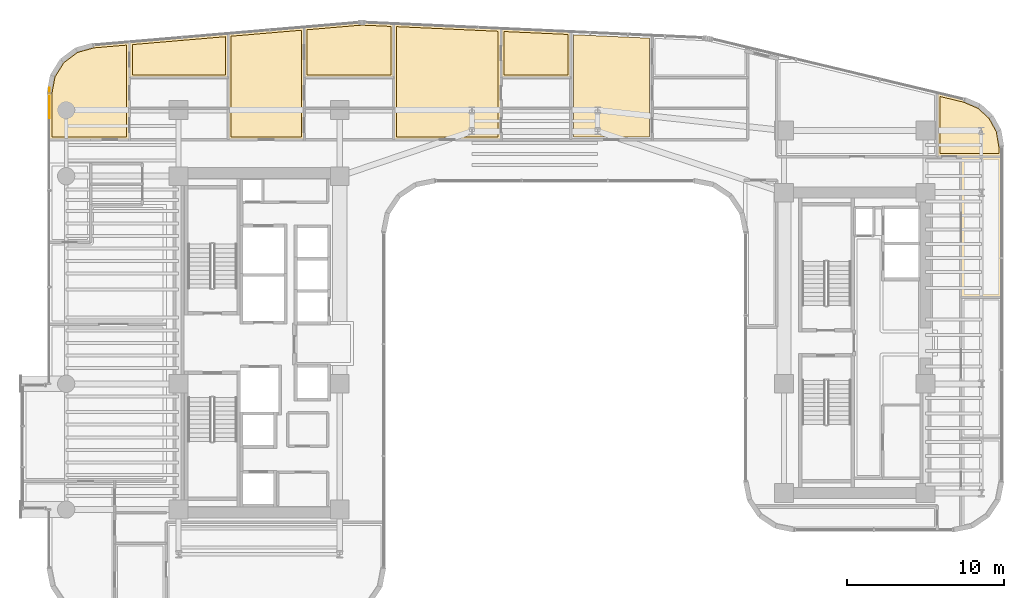
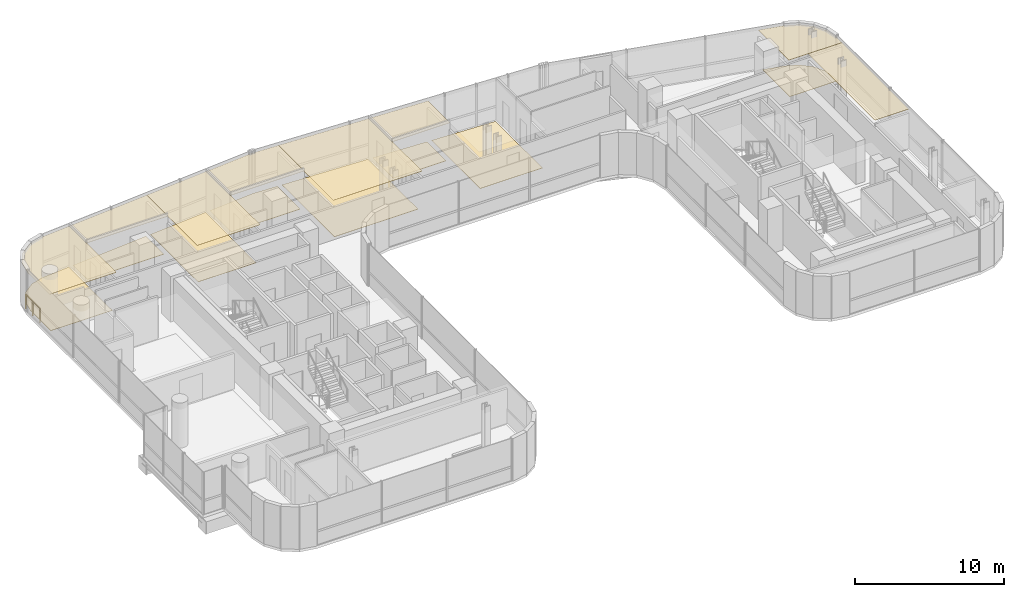
# One storey, part 36 of 37: 16 coverings, 1 railing.
"""IFC4 building model written with IfcOpenShell, lengths in metres."""

from ifc_helpers import new_model, si_unit, direction, frame, origin, origin_2d, place, context, subcontext, project, spatial, polyline, circle, outline, extrude, material, layer, layer_set, type_object, element, save


model = new_model("IFC4")

# Units and contexts
model_context = context("Model", 3, precision=1e-05, world=origin(), true_north=direction((0.0, 1.0)))
body_context = subcontext(model_context, "Body", "Model", "MODEL_VIEW")
ifc_project = project(units=[si_unit("LENGTHUNIT", "METRE"), si_unit("AREAUNIT", "SQUARE_METRE"), si_unit("VOLUMEUNIT", "CUBIC_METRE"), si_unit("PLANEANGLEUNIT", "RADIAN"), si_unit("MASSUNIT", "GRAM", prefix="KILO")], contexts=[model_context])

# Site, building, storey
site_placement = place(None, origin())
site = spatial("IfcSite", under=ifc_project, at=site_placement, CompositionType="ELEMENT")
building_placement = place(site_placement, origin())
building = spatial("IfcBuilding", under=site, at=building_placement, Name="Valdorenza Pilgrim Sanctuary Tower", CompositionType="ELEMENT")
storey_placement = place(building_placement, frame((0.0, 0.0, 127.89990234375)))
storey = spatial("IfcBuildingStorey", under=building, at=storey_placement, Name="L32", CompositionType="ELEMENT", Elevation=127.89990234375)

# Coverings
ifc_material_1 = material(Name="Micro-perforated acoustic mineral ceiling tile", Category="gypsum")
ifc_layer_1 = layer(ifc_material_1, 0.02490234375, Name="Micro-perforated acoustic mineral ceiling tile")
ifc_layer_set_1 = layer_set([ifc_layer_1], Name="Micro-perforated acoustic mineral ceiling tile")
covering_type_1 = type_object("IfcCoveringType", Name="COV-CLG-ACU", PredefinedType="CEILING", material=ifc_layer_set_1)
covering_1_placement = place(storey_placement, frame((0.0, 0.0, 3.16015625)))
element("IfcCovering", 1, at=covering_1_placement, inside=storey, type_object=covering_type_1, Name="L32 North Sanctuary Apartment L32-N1 Bedroom Acoustic Ceiling", PredefinedType="CEILING", context=body_context, shape_type="SweptSolid", body=[
    extrude(outline(polyline([(-19.485107421875, 16.8701171875), (-19.485107421875, 16.868408203125), (-19.4853515625, 16.8671875), (-19.485595703125, 16.865478515625), (-19.486083984375, 16.8642578125), (-19.48681640625, 16.86279296875), (-19.487548828125, 16.86181640625), (-19.48828125, 16.860595703125), (-19.489501953125, 16.859375), (-19.490478515625, 16.8583984375), (-19.49169921875, 16.857421875), (-19.492919921875, 16.856689453125), (-19.494384765625, 16.856201171875), (-19.49560546875, 16.855712890625), (-19.4970703125, 16.855224609375), (-19.49853515625, 16.85498046875), (-19.5, 16.85498046875), (-25.77490234375, 16.85498046875), (-25.776611328125, 16.85498046875), (-25.77783203125, 16.855224609375), (-25.779296875, 16.855712890625), (-25.78076171875, 16.856201171875), (-25.781982421875, 16.856689453125), (-25.783203125, 16.857421875), (-25.784423828125, 16.8583984375), (-25.78564453125, 16.859375), (-25.78662109375, 16.860595703125), (-25.78759765625, 16.86181640625), (-25.7880859375, 16.86279296875), (-25.788818359375, 16.8642578125), (-25.789306640625, 16.865478515625), (-25.789794921875, 16.8671875), (-25.789794921875, 16.868408203125), (-25.7900390625, 16.8701171875), (-25.7900390625, 19.1337890625), (-25.789794921875, 19.13525390625), (-25.789794921875, 19.13671875), (-25.789306640625, 19.13818359375), (-25.788818359375, 19.139404296875), (-25.7880859375, 19.140869140625), (-25.787353515625, 19.14208984375), (-25.78662109375, 19.143310546875), (-25.785400390625, 19.144287109375), (-25.784423828125, 19.1455078125), (-25.783203125, 19.146240234375), (-25.781982421875, 19.147216796875), (-25.780517578125, 19.147705078125), (-25.779296875, 19.148193359375), (-25.777587890625, 19.1484375), (-25.7763671875, 19.148681640625), (-19.501220703125, 19.681884765625), (-19.5, 19.68212890625), (-19.5, 19.68212890625), (-19.49853515625, 19.681884765625), (-19.4970703125, 19.681884765625), (-19.49560546875, 19.681396484375), (-19.494384765625, 19.680908203125), (-19.492919921875, 19.680419921875), (-19.49169921875, 19.6796875), (-19.490478515625, 19.6787109375), (-19.489501953125, 19.677734375), (-19.48828125, 19.676513671875), (-19.487548828125, 19.67529296875), (-19.48681640625, 19.67431640625), (-19.486083984375, 19.6728515625), (-19.485595703125, 19.67138671875), (-19.4853515625, 19.669921875), (-19.485107421875, 19.668701171875), (-19.485107421875, 19.6669921875), (-19.485107421875, 16.8701171875)])), origin(), (0.0, 0.0, 1.0), 0.02490234375),
])
covering_2_placement = place(storey_placement, frame((0.0, 0.0, 3.16015625)))
element("IfcCovering", 2, at=covering_2_placement, inside=storey, type_object=covering_type_1, Name="L32 North Sanctuary Apartment L32-N1 Living Room Acoustic Ceiling", PredefinedType="CEILING", context=body_context, shape_type="SweptSolid", body=[
    extrude(outline(polyline([(-30.889892578125, 12.905029296875), (-30.8916015625, 12.905029296875), (-30.892822265625, 12.9052734375), (-30.894287109375, 12.905517578125), (-30.895751953125, 12.906005859375), (-30.897216796875, 12.90673828125), (-30.898193359375, 12.907470703125), (-30.8994140625, 12.908447265625), (-30.900634765625, 12.909423828125), (-30.901611328125, 12.910400390625), (-30.902587890625, 12.91162109375), (-30.9033203125, 12.912841796875), (-30.90380859375, 12.914306640625), (-30.904296875, 12.91552734375), (-30.90478515625, 12.9169921875), (-30.90478515625, 12.91845703125), (-30.905029296875, 12.919921875), (-30.905029296875, 15.850341796875), (-30.90478515625, 15.8515625), (-30.90478515625, 15.85302734375), (-30.692138671875, 16.984130859375), (-30.69189453125, 16.985595703125), (-30.69140625, 16.98681640625), (-30.69091796875, 16.98828125), (-30.690185546875, 16.989501953125), (-30.0869140625, 17.95751953125), (-30.086181640625, 17.958740234375), (-30.085205078125, 17.959716796875), (-30.084228515625, 17.960693359375), (-30.083251953125, 17.961669921875), (-29.169677734375, 18.64453125), (-29.16845703125, 18.6455078125), (-29.167236328125, 18.64599609375), (-29.166015625, 18.646484375), (-29.164794921875, 18.647216796875), (-28.055419921875, 18.95458984375), (-28.05419921875, 18.955078125), (-28.052734375, 18.955078125), (-25.7783203125, 19.1484375), (-25.77685546875, 19.148681640625), (-25.775390625, 19.1484375), (-25.77392578125, 19.148193359375), (-25.7724609375, 19.14794921875), (-25.77099609375, 19.1474609375), (-25.769775390625, 19.146728515625), (-25.7685546875, 19.14599609375), (-25.767333984375, 19.14501953125), (-25.766357421875, 19.14404296875), (-25.765380859375, 19.14306640625), (-25.764404296875, 19.141845703125), (-25.763671875, 19.140625), (-25.76318359375, 19.139404296875), (-25.7626953125, 19.137939453125), (-25.76220703125, 19.136474609375), (-25.76220703125, 19.135009765625), (-25.761962890625, 19.133544921875), (-25.761962890625, 16.87548828125), (-25.76171875, 16.875), (-25.760986328125, 16.87353515625), (-25.760498046875, 16.872314453125), (-25.76025390625, 16.870849609375), (-25.760009765625, 16.869384765625), (-25.760009765625, 16.867919921875), (-25.760009765625, 12.919921875), (-25.760009765625, 12.91845703125), (-25.76025390625, 12.9169921875), (-25.760498046875, 12.91552734375), (-25.760986328125, 12.914306640625), (-25.76171875, 12.912841796875), (-25.762451171875, 12.91162109375), (-25.763427734375, 12.910400390625), (-25.764404296875, 12.909423828125), (-25.765380859375, 12.908447265625), (-25.7666015625, 12.907470703125), (-25.767822265625, 12.90673828125), (-25.769287109375, 12.906005859375), (-25.7705078125, 12.905517578125), (-25.772216796875, 12.9052734375), (-25.7734375, 12.905029296875), (-25.77490234375, 12.905029296875), (-30.889892578125, 12.905029296875)])), origin(), (0.0, 0.0, 1.0), 0.02490234375),
])
covering_3_placement = place(storey_placement, frame((0.0, 0.0, 3.16015625)))
element("IfcCovering", 3, at=covering_3_placement, inside=storey, type_object=covering_type_1, Name="L32 North Sanctuary Apartment L32-N2 Bedroom Acoustic Ceiling", PredefinedType="CEILING", context=body_context, shape_type="SweptSolid", body=[
    extrude(outline(polyline([(-14.658447265625, 16.85498046875), (-14.659912109375, 16.85498046875), (-14.661376953125, 16.855224609375), (-14.662841796875, 16.855712890625), (-14.664306640625, 16.856201171875), (-14.66552734375, 16.856689453125), (-14.666748046875, 16.857421875), (-14.66796875, 16.8583984375), (-14.669189453125, 16.859375), (-14.670166015625, 16.860595703125), (-14.6708984375, 16.86181640625), (-14.671630859375, 16.86279296875), (-14.67236328125, 16.8642578125), (-14.6728515625, 16.865478515625), (-14.673095703125, 16.8671875), (-14.67333984375, 16.868408203125), (-14.673583984375, 16.8701171875), (-14.673583984375, 20.07861328125), (-14.67333984375, 20.080078125), (-14.673095703125, 20.08154296875), (-14.6728515625, 20.0830078125), (-14.67236328125, 20.08447265625), (-14.671630859375, 20.085693359375), (-14.6708984375, 20.0869140625), (-14.669921875, 20.088134765625), (-14.6689453125, 20.08935546875), (-14.66796875, 20.09033203125), (-14.666748046875, 20.09130859375), (-14.665283203125, 20.091796875), (-14.6640625, 20.092529296875), (-14.66259765625, 20.093017578125), (-14.6611328125, 20.093505859375), (-14.659912109375, 20.093505859375), (-11.20068359375, 20.3876953125), (-11.200439453125, 20.3876953125), (-11.099365234375, 20.39453125), (-11.098876953125, 20.39453125), (-10.998291015625, 20.398193359375), (-10.997802734375, 20.398193359375), (-10.897216796875, 20.398681640625), (-10.896728515625, 20.398681640625), (-10.79541015625, 20.3955078125), (-10.795166015625, 20.3955078125), (-8.974365234375, 20.312744140625), (-8.972900390625, 20.312744140625), (-8.971435546875, 20.3125), (-8.97021484375, 20.31201171875), (-8.96875, 20.3115234375), (-8.967529296875, 20.310791015625), (-8.96630859375, 20.31005859375), (-8.965087890625, 20.30908203125), (-8.964111328125, 20.30810546875), (-8.963134765625, 20.30712890625), (-8.96240234375, 20.305908203125), (-8.961669921875, 20.3046875), (-8.961181640625, 20.303466796875), (-8.960693359375, 20.302001953125), (-8.960205078125, 20.30078125), (-8.960205078125, 20.29931640625), (-8.9599609375, 20.2978515625), (-8.9599609375, 16.8701171875), (-8.960205078125, 16.868408203125), (-8.960205078125, 16.8671875), (-8.960693359375, 16.865478515625), (-8.961181640625, 16.8642578125), (-8.9619140625, 16.86279296875), (-8.96240234375, 16.86181640625), (-8.96337890625, 16.860595703125), (-8.96435546875, 16.859375), (-8.965576171875, 16.8583984375), (-8.966796875, 16.857421875), (-8.968017578125, 16.856689453125), (-8.96923828125, 16.856201171875), (-8.970703125, 16.855712890625), (-8.97216796875, 16.855224609375), (-8.973388671875, 16.85498046875), (-8.97509765625, 16.85498046875), (-14.658447265625, 16.85498046875)])), origin(), (0.0, 0.0, 1.0), 0.02490234375),
])
covering_4_placement = place(storey_placement, frame((0.0, 0.0, 3.16015625)))
element("IfcCovering", 4, at=covering_4_placement, inside=storey, type_object=covering_type_1, Name="L32 North Sanctuary Apartment L32-N2 Living Room Acoustic Ceiling", PredefinedType="CEILING", context=body_context, shape_type="SweptSolid", body=[
    extrude(outline(polyline([(-19.512939453125, 14.918212890625), (-19.51318359375, 14.9189453125), (-19.51318359375, 14.92041015625), (-19.51318359375, 14.922119140625), (-19.51318359375, 14.923583984375), (-19.512939453125, 14.923828125), (-19.512939453125, 16.8662109375), (-19.51318359375, 16.866943359375), (-19.51318359375, 16.868408203125), (-19.51318359375, 16.8701171875), (-19.51318359375, 16.87158203125), (-19.512939453125, 16.871826171875), (-19.512939453125, 19.6669921875), (-19.512939453125, 19.6669921875), (-19.512939453125, 19.66796875), (-19.512939453125, 19.66943359375), (-19.5126953125, 19.6708984375), (-19.51220703125, 19.672119140625), (-19.51171875, 19.673583984375), (-19.510986328125, 19.6748046875), (-19.51025390625, 19.676025390625), (-19.50927734375, 19.677001953125), (-19.50830078125, 19.67822265625), (-19.507080078125, 19.67919921875), (-19.506103515625, 19.679931640625), (-19.5048828125, 19.6806640625), (-19.50341796875, 19.68115234375), (-19.502197265625, 19.681640625), (-19.500732421875, 19.681884765625), (-19.499267578125, 19.68212890625), (-14.661865234375, 20.093505859375), (-14.660400390625, 20.093505859375), (-14.658935546875, 20.093505859375), (-14.657470703125, 20.093017578125), (-14.656005859375, 20.0927734375), (-14.654541015625, 20.09228515625), (-14.6533203125, 20.091552734375), (-14.652099609375, 20.0908203125), (-14.65087890625, 20.090087890625), (-14.64990234375, 20.089111328125), (-14.64892578125, 20.087890625), (-14.64794921875, 20.086669921875), (-14.647216796875, 20.08544921875), (-14.646484375, 20.083984375), (-14.64599609375, 20.082763671875), (-14.645751953125, 20.081298828125), (-14.6455078125, 20.079833984375), (-14.6455078125, 20.078369140625), (-14.6455078125, 16.87548828125), (-14.645263671875, 16.875), (-14.64453125, 16.87353515625), (-14.64404296875, 16.872314453125), (-14.643798828125, 16.870849609375), (-14.6435546875, 16.869384765625), (-14.6435546875, 16.867919921875), (-14.6435546875, 12.919921875), (-14.6435546875, 12.91845703125), (-14.643798828125, 12.9169921875), (-14.64404296875, 12.91552734375), (-14.64453125, 12.914306640625), (-14.645263671875, 12.912841796875), (-14.64599609375, 12.91162109375), (-14.64697265625, 12.910400390625), (-14.64794921875, 12.909423828125), (-14.64892578125, 12.908447265625), (-14.650146484375, 12.907470703125), (-14.6513671875, 12.90673828125), (-14.65283203125, 12.906005859375), (-14.654052734375, 12.905517578125), (-14.655517578125, 12.9052734375), (-14.656982421875, 12.905029296875), (-14.658447265625, 12.905029296875), (-19.498046875, 12.905029296875), (-19.49951171875, 12.905029296875), (-19.5009765625, 12.9052734375), (-19.50244140625, 12.905517578125), (-19.503662109375, 12.906005859375), (-19.505126953125, 12.90673828125), (-19.50634765625, 12.907470703125), (-19.507568359375, 12.908447265625), (-19.508544921875, 12.909423828125), (-19.509521484375, 12.910400390625), (-19.510498046875, 12.91162109375), (-19.51123046875, 12.912841796875), (-19.511962890625, 12.914306640625), (-19.512451171875, 12.91552734375), (-19.5126953125, 12.9169921875), (-19.512939453125, 12.91845703125), (-19.512939453125, 12.919921875), (-19.512939453125, 14.918212890625)])), origin(), (0.0, 0.0, 1.0), 0.02490234375),
])
covering_5_placement = place(storey_placement, frame((0.0, 0.0, 3.16015625)))
element("IfcCovering", 5, at=covering_5_placement, inside=storey, type_object=covering_type_1, Name="L32 North Sanctuary Apartment L32-N3 Bedroom Acoustic Ceiling", PredefinedType="CEILING", context=body_context, shape_type="SweptSolid", body=[
    extrude(outline(polyline([(-2.14453125, 16.85498046875), (-2.14599609375, 16.85498046875), (-2.1474609375, 16.855224609375), (-2.14892578125, 16.855712890625), (-2.150146484375, 16.856201171875), (-2.151611328125, 16.856689453125), (-2.15283203125, 16.857421875), (-2.154052734375, 16.8583984375), (-2.155029296875, 16.859375), (-2.156005859375, 16.860595703125), (-2.156982421875, 16.86181640625), (-2.15771484375, 16.86279296875), (-2.158447265625, 16.8642578125), (-2.158935546875, 16.865478515625), (-2.1591796875, 16.8671875), (-2.159423828125, 16.868408203125), (-2.159423828125, 16.8701171875), (-2.159423828125, 19.9873046875), (-2.159423828125, 19.989013671875), (-2.1591796875, 19.990478515625), (-2.15869140625, 19.99169921875), (-2.158203125, 19.9931640625), (-2.15771484375, 19.99462890625), (-2.15673828125, 19.995849609375), (-2.156005859375, 19.9970703125), (-2.15478515625, 19.998291015625), (-2.15380859375, 19.999267578125), (-2.152587890625, 20.0), (-2.151123046875, 20.000732421875), (-2.14990234375, 20.00146484375), (-2.148193359375, 20.001708984375), (-2.146728515625, 20.002197265625), (-2.145263671875, 20.002197265625), (-2.143798828125, 20.002197265625), (2.28759765625, 19.80078125), (2.2890625, 19.80078125), (2.29052734375, 19.800537109375), (2.2919921875, 19.800048828125), (2.293212890625, 19.799560546875), (2.29443359375, 19.798828125), (2.295654296875, 19.798095703125), (2.296875, 19.79736328125), (2.2978515625, 19.79638671875), (2.298828125, 19.795166015625), (2.299560546875, 19.7939453125), (2.30029296875, 19.792724609375), (2.30078125, 19.79150390625), (2.301513671875, 19.7900390625), (2.3017578125, 19.788818359375), (2.302001953125, 19.787353515625), (2.302001953125, 19.785888671875), (2.302001953125, 16.8701171875), (2.302001953125, 16.868408203125), (2.3017578125, 16.8671875), (2.301513671875, 16.865478515625), (2.30078125, 16.8642578125), (2.30029296875, 16.86279296875), (2.299560546875, 16.86181640625), (2.298583984375, 16.860595703125), (2.297607421875, 16.859375), (2.29638671875, 16.8583984375), (2.29541015625, 16.857421875), (2.294189453125, 16.856689453125), (2.292724609375, 16.856201171875), (2.29150390625, 16.855712890625), (2.289794921875, 16.855224609375), (2.28857421875, 16.85498046875), (2.287109375, 16.85498046875), (-2.14453125, 16.85498046875)])), origin(), (0.0, 0.0, 1.0), 0.02490234375),
])
covering_6_placement = place(storey_placement, frame((0.0, 0.0, 3.16015625)))
element("IfcCovering", 6, at=covering_6_placement, inside=storey, type_object=covering_type_1, Name="L32 North Sanctuary Apartment L32-N3 Living Room Acoustic Ceiling", PredefinedType="CEILING", context=body_context, shape_type="SweptSolid", body=[
    extrude(outline(polyline([(-8.988037109375, 14.918212890625), (-8.988037109375, 14.9189453125), (-8.98828125, 14.92041015625), (-8.98828125, 14.922119140625), (-8.988037109375, 14.923583984375), (-8.988037109375, 14.923828125), (-8.988037109375, 16.8662109375), (-8.988037109375, 16.866943359375), (-8.98828125, 16.868408203125), (-8.98828125, 16.8701171875), (-8.988037109375, 16.87158203125), (-8.988037109375, 16.871826171875), (-8.988037109375, 20.297607421875), (-8.98779296875, 20.29931640625), (-8.98779296875, 20.30078125), (-8.9873046875, 20.30224609375), (-8.98681640625, 20.3037109375), (-8.986083984375, 20.304931640625), (-8.9853515625, 20.306396484375), (-8.984375, 20.3076171875), (-8.9833984375, 20.30859375), (-8.982177734375, 20.3095703125), (-8.98095703125, 20.310302734375), (-8.979736328125, 20.311279296875), (-8.978271484375, 20.311767578125), (-8.976806640625, 20.312255859375), (-8.975341796875, 20.3125), (-8.973876953125, 20.312744140625), (-8.972412109375, 20.312744140625), (-2.145751953125, 20.00244140625), (-2.144287109375, 20.002197265625), (-2.14306640625, 20.001953125), (-2.1416015625, 20.001708984375), (-2.140380859375, 20.001220703125), (-2.138916015625, 20.00048828125), (-2.1376953125, 19.999755859375), (-2.13671875, 19.998779296875), (-2.1357421875, 19.997802734375), (-2.134765625, 19.99658203125), (-2.1337890625, 19.99560546875), (-2.13330078125, 19.994384765625), (-2.132568359375, 19.992919921875), (-2.132080078125, 19.99169921875), (-2.1318359375, 19.990234375), (-2.131591796875, 19.989013671875), (-2.131591796875, 19.9873046875), (-2.131591796875, 16.87548828125), (-2.131103515625, 16.875), (-2.130615234375, 16.87353515625), (-2.130126953125, 16.872314453125), (-2.1298828125, 16.870849609375), (-2.129638671875, 16.869384765625), (-2.12939453125, 16.867919921875), (-2.12939453125, 12.919921875), (-2.129638671875, 12.91845703125), (-2.1298828125, 12.9169921875), (-2.130126953125, 12.91552734375), (-2.130615234375, 12.914306640625), (-2.13134765625, 12.912841796875), (-2.132080078125, 12.91162109375), (-2.1328125, 12.910400390625), (-2.1337890625, 12.909423828125), (-2.135009765625, 12.908447265625), (-2.13623046875, 12.907470703125), (-2.137451171875, 12.90673828125), (-2.138916015625, 12.906005859375), (-2.14013671875, 12.905517578125), (-2.1416015625, 12.9052734375), (-2.14306640625, 12.905029296875), (-2.14453125, 12.905029296875), (-8.972900390625, 12.905029296875), (-8.974609375, 12.905029296875), (-8.975830078125, 12.9052734375), (-8.977294921875, 12.905517578125), (-8.978759765625, 12.906005859375), (-8.97998046875, 12.90673828125), (-8.981201171875, 12.907470703125), (-8.982421875, 12.908447265625), (-8.983642578125, 12.909423828125), (-8.984619140625, 12.910400390625), (-8.985595703125, 12.91162109375), (-8.986083984375, 12.912841796875), (-8.98681640625, 12.914306640625), (-8.9873046875, 12.91552734375), (-8.98779296875, 12.9169921875), (-8.98779296875, 12.91845703125), (-8.988037109375, 12.919921875), (-8.988037109375, 14.918212890625)])), origin(), (0.0, 0.0, 1.0), 0.02490234375),
])
covering_7_placement = place(storey_placement, frame((0.0, 0.0, 3.16015625)))
element("IfcCovering", 7, at=covering_7_placement, inside=storey, type_object=covering_type_1, Name="L32 East Wing Reference Library L32-BNE Acoustic Ceiling", PredefinedType="CEILING", context=body_context, shape_type="SweptSolid", body=[
    extrude(outline(polyline([(27.313720703125, 15.49755859375), (27.31494140625, 15.4970703125), (27.316162109375, 15.49658203125), (28.269775390625, 15.09130859375), (28.271240234375, 15.090576171875), (28.272705078125, 15.089599609375), (28.27392578125, 15.088623046875), (29.034912109375, 14.3994140625), (29.035888671875, 14.398193359375), (29.037109375, 14.39697265625), (29.037841796875, 14.3955078125), (29.531005859375, 13.4951171875), (29.53173828125, 13.49365234375), (29.5322265625, 13.4921875), (29.53271484375, 13.490478515625), (29.704833984375, 12.468994140625), (29.704833984375, 12.467529296875), (29.705078125, 12.46630859375), (29.705078125, 11.85009765625), (29.704833984375, 11.848388671875), (29.70458984375, 11.84716796875), (29.704345703125, 11.845703125), (29.703857421875, 11.84423828125), (29.703125, 11.843017578125), (29.702392578125, 11.841796875), (29.70166015625, 11.840576171875), (29.70068359375, 11.83935546875), (29.699462890625, 11.83837890625), (29.6982421875, 11.83740234375), (29.697021484375, 11.8369140625), (29.69580078125, 11.836181640625), (29.6943359375, 11.835693359375), (29.69287109375, 11.835205078125), (29.69140625, 11.835205078125), (29.68994140625, 11.8349609375), (25.60205078125, 11.8349609375), (25.6005859375, 11.835205078125), (25.59912109375, 11.835205078125), (25.59765625, 11.835693359375), (25.59619140625, 11.836181640625), (25.594970703125, 11.8369140625), (25.59375, 11.83740234375), (25.592529296875, 11.83837890625), (25.59130859375, 11.83935546875), (25.59033203125, 11.840576171875), (25.589599609375, 11.841796875), (25.5888671875, 11.843017578125), (25.588134765625, 11.84423828125), (25.587646484375, 11.845703125), (25.58740234375, 11.84716796875), (25.587158203125, 11.848388671875), (25.5869140625, 11.85009765625), (25.5869140625, 15.891845703125), (25.587158203125, 15.893310546875), (25.58740234375, 15.894775390625), (25.587646484375, 15.896240234375), (25.588134765625, 15.897705078125), (25.5888671875, 15.89892578125), (25.589599609375, 15.900390625), (25.590576171875, 15.901611328125), (25.591552734375, 15.902587890625), (25.5927734375, 15.903564453125), (25.593994140625, 15.904296875), (25.59521484375, 15.9052734375), (25.5966796875, 15.90576171875), (25.597900390625, 15.90625), (25.599609375, 15.906494140625), (25.60107421875, 15.90673828125), (25.6025390625, 15.90673828125), (25.60400390625, 15.906494140625), (25.60546875, 15.906494140625), (27.313720703125, 15.49755859375)])), origin(), (0.0, 0.0, 1.0), 0.02490234375),
])
covering_8_placement = place(storey_placement, frame((0.0, 0.0, 3.16015625)))
element("IfcCovering", 8, at=covering_8_placement, inside=storey, type_object=covering_type_1, Name="L32 East Reading Lounge L32-EB3 Acoustic Ceiling", PredefinedType="CEILING", context=body_context, shape_type="SweptSolid", body=[
    extrude(outline(polyline([(27.0849609375, 11.847900390625), (27.085205078125, 11.849609375), (27.085205078125, 11.850830078125), (27.085693359375, 11.852294921875), (27.086181640625, 11.853759765625), (27.0869140625, 11.85498046875), (27.08740234375, 11.856201171875), (27.08837890625, 11.857421875), (27.08935546875, 11.858642578125), (27.090576171875, 11.859619140625), (27.091796875, 11.860595703125), (27.093017578125, 11.861083984375), (27.09423828125, 11.86181640625), (27.095703125, 11.8623046875), (27.09716796875, 11.86279296875), (27.098388671875, 11.86279296875), (27.10009765625, 11.863037109375), (29.68994140625, 11.863037109375), (29.69140625, 11.86279296875), (29.69287109375, 11.86279296875), (29.6943359375, 11.8623046875), (29.69580078125, 11.86181640625), (29.697021484375, 11.861083984375), (29.6982421875, 11.860595703125), (29.699462890625, 11.859619140625), (29.70068359375, 11.858642578125), (29.70166015625, 11.857421875), (29.702392578125, 11.856201171875), (29.703125, 11.85498046875), (29.703857421875, 11.853759765625), (29.704345703125, 11.852294921875), (29.70458984375, 11.850830078125), (29.704833984375, 11.849609375), (29.705078125, 11.847900390625), (29.705078125, 2.902099609375), (29.704833984375, 2.900390625), (29.70458984375, 2.899169921875), (29.704345703125, 2.897705078125), (29.703857421875, 2.896240234375), (29.703125, 2.89501953125), (29.702392578125, 2.893798828125), (29.70166015625, 2.892578125), (29.70068359375, 2.891357421875), (29.699462890625, 2.890380859375), (29.6982421875, 2.889404296875), (29.697021484375, 2.888916015625), (29.69580078125, 2.88818359375), (29.6943359375, 2.8876953125), (29.69287109375, 2.88720703125), (29.69140625, 2.88720703125), (29.68994140625, 2.886962890625), (27.10009765625, 2.886962890625), (27.098388671875, 2.88720703125), (27.09716796875, 2.88720703125), (27.095703125, 2.8876953125), (27.09423828125, 2.88818359375), (27.093017578125, 2.888916015625), (27.091796875, 2.889404296875), (27.090576171875, 2.890380859375), (27.08935546875, 2.891357421875), (27.08837890625, 2.892578125), (27.08740234375, 2.893798828125), (27.0869140625, 2.89501953125), (27.086181640625, 2.896240234375), (27.085693359375, 2.897705078125), (27.085205078125, 2.899169921875), (27.085205078125, 2.900390625), (27.0849609375, 2.902099609375), (27.0849609375, 11.847900390625)])), origin(), (0.0, 0.0, 1.0), 0.02490234375),
])
ifc_material_2 = material(Name="Engineered European oak timber flooring", Category="wood")
ifc_layer_2 = layer(ifc_material_2, 0.02197265625, Name="Engineered European oak timber flooring")
ifc_layer_set_2 = layer_set([ifc_layer_2], Name="Engineered European oak timber flooring")
covering_type_2 = type_object("IfcCoveringType", Name="COV-FLR-OAK", PredefinedType="FLOORING", material=ifc_layer_set_2)
covering_9_placement = place(storey_placement, origin())
element("IfcCovering", 9, at=covering_9_placement, inside=storey, type_object=covering_type_2, Name="L32 North Sanctuary Apartment L32-N1 Bedroom Flooring", PredefinedType="FLOORING", context=body_context, shape_type="SweptSolid", body=[
    extrude(outline(polyline([(-19.679931640625, 17.050048828125), (-25.594970703125, 17.050048828125), (-25.594970703125, 18.968505859375), (-19.68017578125, 19.47119140625), (-19.679931640625, 17.050048828125)])), origin(), (0.0, 0.0, 1.0), 0.025146484375),
])
covering_10_placement = place(storey_placement, origin())
element("IfcCovering", 10, at=covering_10_placement, inside=storey, type_object=covering_type_2, Name="L32 North Sanctuary Apartment L32-N1 Living Room Flooring", PredefinedType="FLOORING", context=body_context, shape_type="SweptSolid", body=[
    extrude(outline(polyline([(-30.7099609375, 13.10009765625), (-30.7099609375, 15.83349609375), (-30.5068359375, 16.9150390625), (-29.939208984375, 17.82568359375), (-29.080078125, 18.46826171875), (-28.01953125, 18.76220703125), (-25.95703125, 18.9375), (-25.95703125, 16.8701171875), (-25.955078125, 13.10009765625), (-30.7099609375, 13.10009765625)])), origin(), (0.0, 0.0, 1.0), 0.025146484375),
])
covering_11_placement = place(storey_placement, origin())
element("IfcCovering", 11, at=covering_11_placement, inside=storey, type_object=covering_type_2, Name="L32 North Sanctuary Apartment L32-N2 Bedroom Flooring", PredefinedType="FLOORING", context=body_context, shape_type="SweptSolid", body=[
    extrude(outline(polyline([(-14.478515625, 17.050048828125), (-14.478515625, 19.913330078125), (-11.185546875, 20.193115234375), (-11.0888671875, 20.199951171875), (-10.994140625, 20.203125), (-10.8994140625, 20.20361328125), (-10.802490234375, 20.20068359375), (-9.155029296875, 20.125732421875), (-9.155029296875, 17.050048828125), (-14.478515625, 17.050048828125)])), origin(), (0.0, 0.0, 1.0), 0.025146484375),
])
covering_12_placement = place(storey_placement, origin())
element("IfcCovering", 12, at=covering_12_placement, inside=storey, type_object=covering_type_2, Name="L32 North Sanctuary Apartment L32-N2 Living Room Flooring", PredefinedType="FLOORING", context=body_context, shape_type="SweptSolid", body=[
    extrude(outline(polyline([(-19.318115234375, 14.921630859375), (-19.318115234375, 14.922119140625), (-19.318115234375, 16.867919921875), (-19.318115234375, 16.868896484375), (-19.318115234375, 16.86962890625), (-19.318115234375, 16.8701171875), (-19.318115234375, 19.501708984375), (-14.840576171875, 19.882568359375), (-14.840576171875, 16.8701171875), (-14.838623046875, 13.10009765625), (-19.318115234375, 13.10009765625), (-19.318115234375, 14.919921875), (-19.318115234375, 14.9208984375), (-19.318115234375, 14.921630859375)])), origin(), (0.0, 0.0, 1.0), 0.025146484375),
])
covering_13_placement = place(storey_placement, origin())
element("IfcCovering", 13, at=covering_13_placement, inside=storey, type_object=covering_type_2, Name="L32 North Sanctuary Apartment L32-N3 Bedroom Flooring", PredefinedType="FLOORING", context=body_context, shape_type="SweptSolid", body=[
    extrude(outline(polyline([(-1.964599609375, 17.050048828125), (-1.964599609375, 19.799072265625), (2.10693359375, 19.614013671875), (2.10693359375, 17.050048828125), (-1.964599609375, 17.050048828125)])), origin(), (0.0, 0.0, 1.0), 0.025146484375),
])
covering_14_placement = place(storey_placement, origin())
element("IfcCovering", 14, at=covering_14_placement, inside=storey, type_object=covering_type_2, Name="L32 North Sanctuary Apartment L32-N3 Living Room Flooring", PredefinedType="FLOORING", context=body_context, shape_type="SweptSolid", body=[
    extrude(outline(polyline([(-8.79296875, 14.921630859375), (-8.79296875, 14.922119140625), (-8.79296875, 16.867919921875), (-8.79296875, 16.868896484375), (-8.79296875, 16.86962890625), (-8.79296875, 16.8701171875), (-8.79296875, 20.109375), (-2.326416015625, 19.8154296875), (-2.326416015625, 16.8701171875), (-2.32470703125, 13.10009765625), (-8.79296875, 13.10009765625), (-8.79296875, 14.919921875), (-8.79296875, 14.9208984375), (-8.79296875, 14.921630859375)])), origin(), (0.0, 0.0, 1.0), 0.025146484375),
])
covering_15_placement = place(storey_placement, origin())
element("IfcCovering", 15, at=covering_15_placement, inside=storey, type_object=covering_type_2, Name="L32 North Sanctuary Apartment L32-N4 Living Room Flooring", PredefinedType="FLOORING", context=body_context, shape_type="SweptSolid", body=[
    extrude(outline(polyline([(2.468994140625, 14.921630859375), (2.468994140625, 14.922119140625), (2.468994140625, 16.867919921875), (2.468994140625, 16.868896484375), (2.468994140625, 16.86962890625), (2.468994140625, 16.8701171875), (2.468994140625, 19.597412109375), (7.285888671875, 19.37841796875), (7.285888671875, 16.8701171875), (7.287841796875, 13.10009765625), (2.468994140625, 13.10009765625), (2.468994140625, 14.919921875), (2.468994140625, 14.9208984375), (2.468994140625, 14.921630859375)])), origin(), (0.0, 0.0, 1.0), 0.025146484375),
])
ifc_material_3 = material(Name="Honed travertine stone flooring", Category="masonry")
ifc_layer_3 = layer(ifc_material_3, 0.030029296875, Name="Honed travertine stone flooring")
ifc_layer_set_3 = layer_set([ifc_layer_3], Name="Honed travertine stone flooring")
covering_type_3 = type_object("IfcCoveringType", Name="COV-FLR-TRV", PredefinedType="FLOORING", material=ifc_layer_set_3)
covering_16_placement = place(storey_placement, origin())
element("IfcCovering", 16, at=covering_16_placement, inside=storey, type_object=covering_type_3, Name="L32 East Wing Reference Library L32-BNE Flooring", PredefinedType="FLOORING", context=body_context, shape_type="SweptSolid", body=[
    extrude(outline(polyline([(27.25390625, 15.311279296875), (28.16552734375, 14.923583984375), (28.88134765625, 14.275390625), (29.345458984375, 13.427978515625), (29.510009765625, 12.451416015625), (29.510009765625, 12.030029296875), (25.781982421875, 12.030029296875), (25.781982421875, 15.66357421875), (27.25390625, 15.311279296875)])), origin(), (0.0, 0.0, 1.0), 0.025146484375),
])

# Railing
ifc_material_4 = material(Name="Stainless steel Grade 316", Category="steel")
railing_type = type_object("IfcRailingType", Name="RLG-GRD-1120", PredefinedType="GUARDRAIL", material=ifc_material_4)
railing_placement = place(storey_placement, frame((-30.860107421875, 14.300048828125, 0.0)))
element("IfcRailing", 17, at=railing_placement, inside=storey, type_object=railing_type, Name="L32 NW Tangent Safety Sill Guard", PredefinedType="GUARDRAIL", context=body_context, shape_type="SweptSolid", body=[
    extrude(circle(Radius=0.02392578125, at=origin_2d()), frame((0.0, 0.0, 1.17578125), z_axis=(0.0, 1.0, 0.0), x_axis=(-1.0, 0.0, 0.0)), (0.0, 0.0, 1.0), 1.89990234375),
    extrude(circle(Radius=0.02099609375, at=origin_2d()), origin(), (0.0, 0.0, 1.0), 1.15185546875),
    extrude(circle(Radius=0.02099609375, at=origin_2d()), frame((0.0, 0.949951171875, 0.0)), (0.0, 0.0, 1.0), 1.15185546875),
    extrude(circle(Radius=0.02099609375, at=origin_2d()), frame((0.0, 1.89990234375, 0.0)), (0.0, 0.0, 1.0), 1.15185546875),
])

save(model, "model.ifc")
